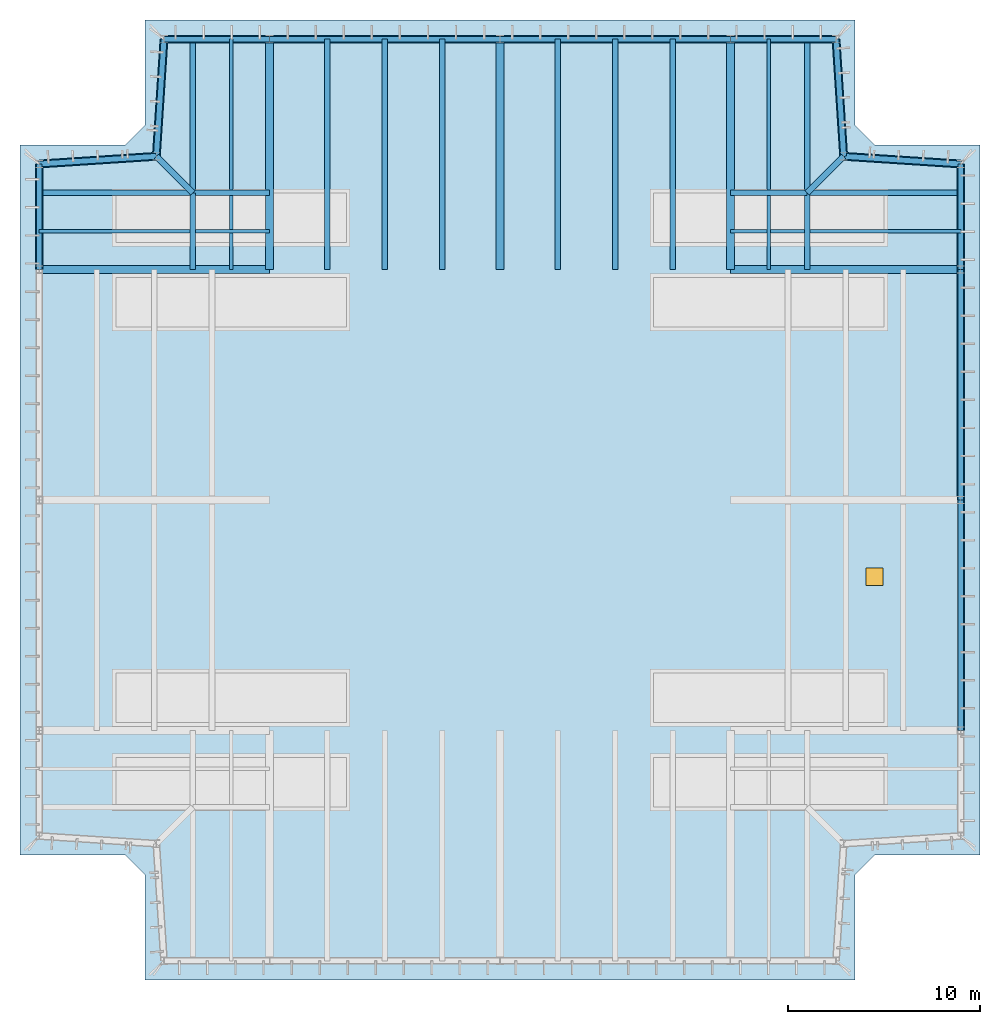
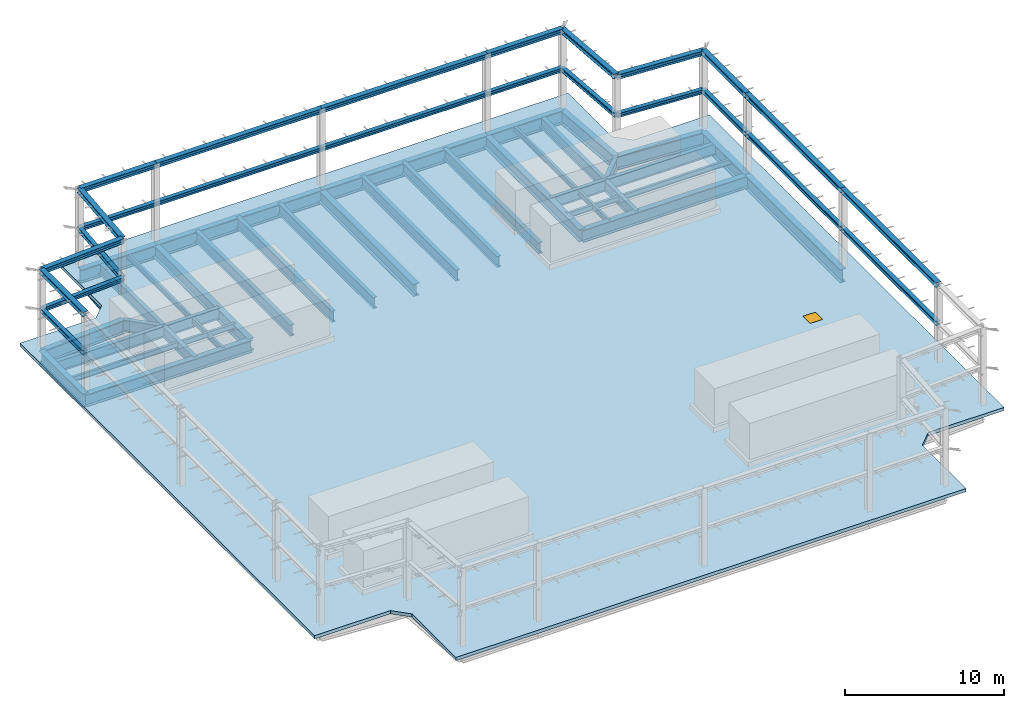
# One storey, part 2 of 8: 66 beams, 1 slab, 1 window, 1 opening.
"""IFC4 building model written with IfcOpenShell, lengths in metres."""

from ifc_helpers import new_model, si_unit, direction, frame, origin, origin_2d, place, context, subcontext, project, spatial, polyline, rectangle, i_section, outline, extrude, material, layer, layer_set, material_profile, profile_set, type_object, element, fill, save


model = new_model("IFC4")

# Units and contexts
model_context = context("Model", 3, precision=1e-05, world=origin(), true_north=direction((0.0, 1.0)))
body_context = subcontext(model_context, "Body", "Model", "MODEL_VIEW")
ifc_project = project(units=[si_unit("LENGTHUNIT", "METRE"), si_unit("AREAUNIT", "SQUARE_METRE"), si_unit("VOLUMEUNIT", "CUBIC_METRE"), si_unit("PLANEANGLEUNIT", "RADIAN"), si_unit("MASSUNIT", "GRAM", prefix="KILO")], contexts=[model_context])

# Site, building, storey
site_placement = place(None, origin())
site = spatial("IfcSite", under=ifc_project, at=site_placement, CompositionType="ELEMENT")
building_placement = place(site_placement, origin())
building = spatial("IfcBuilding", under=site, at=building_placement, Name="Fenwick Lantern Interchange", CompositionType="ELEMENT")
storey_placement = place(building_placement, frame((0.0, 0.0, 313.800048828125)))
storey = spatial("IfcBuildingStorey", under=building, at=storey_placement, Name="RF-A", CompositionType="ELEMENT", Elevation=313.800048828125)

# Beams
ifc_material_1 = material(Name="Steel ASTM A992 Grade 50", Category="steel")
ifc_material_profile_1 = material_profile(ifc_material_1, i_section(OverallWidth=0.3046875, OverallDepth=0.307373046875, WebThickness=0.010009765625, FlangeThickness=0.015380859375, at=origin_2d()), Name="W12X65")
ifc_profile_set_1 = profile_set([ifc_material_profile_1], Name="Steel ASTM A992 Grade 50")
beam_type_1 = type_object("IfcBeamType", Name="CROWN GIRT W12X65", PredefinedType="BEAM", material=ifc_profile_set_1)
for number, where, z_axis, x_axis, name in (
    (1, (49.0, 13.0, 2.84619140625), (0.0, 1.0, 0.0), (-1.0, 0.0, 0.0), "RF/CF/SG/08"),
    (2, (49.0, 25.0, 2.84619140625), (0.0, 1.0, 0.0), (-1.0, 0.0, 0.0), "RF/CF/SG/09"),
):
    element("IfcBeam", number, at=place(storey_placement, frame(where, z_axis=z_axis, x_axis=x_axis)), inside=storey, type_object=beam_type_1, Name=name, PredefinedType="BEAM", context=body_context, shape_type="SweptSolid", body=[
        extrude(i_section(OverallWidth=0.3046875, OverallDepth=0.307373046875, WebThickness=0.010009765625, FlangeThickness=0.015380859375, at=origin_2d()), origin(), (0.0, 0.0, 1.0), 12.0),
    ])
beam_1_placement = place(storey_placement, frame((49.0, 37.0, 2.84619140625), z_axis=(0.0, 1.0, 0.0), x_axis=(-1.0, 0.0, 0.0)))
element("IfcBeam", 3, at=beam_1_placement, inside=storey, type_object=beam_type_1, Name="RF/CF/SG/10", PredefinedType="BEAM", context=body_context, shape_type="SweptSolid", body=[
    extrude(i_section(OverallWidth=0.3046875, OverallDepth=0.307373046875, WebThickness=0.010009765625, FlangeThickness=0.015380859375, at=origin_2d()), origin(), (0.0, 0.0, 1.0), 5.5),
])
for number, where, z_axis, x_axis, name in (
    (4, (49.0, 42.5, 2.84619140625), (-0.997858060337, 0.065416293237, 0.0), (-0.065416293237, -0.997858060337, 0.0), "RF/CF/SG/11"),
    (5, (42.89990234375, 42.89990234375, 2.84619140625), (-0.065416293237, 0.997858060337, 0.0), (-0.997858060337, -0.065416293237, 0.0), "RF/CF/SG/12"),
):
    element("IfcBeam", number, at=place(storey_placement, frame(where, z_axis=z_axis, x_axis=x_axis)), inside=storey, type_object=beam_type_1, Name=name, PredefinedType="BEAM", context=body_context, shape_type="SweptSolid", body=[
        extrude(i_section(OverallWidth=0.3046875, OverallDepth=0.307373046875, WebThickness=0.010009765625, FlangeThickness=0.015380859375, at=origin_2d()), origin(), (0.0, 0.0, 1.0), 6.11328125),
    ])
beam_2_placement = place(storey_placement, frame((42.5, 49.0, 2.84619140625), z_axis=(-1.0, 0.0, 0.0), x_axis=(0.0, -1.0, 0.0)))
element("IfcBeam", 6, at=beam_2_placement, inside=storey, type_object=beam_type_1, Name="RF/CF/SG/13", PredefinedType="BEAM", context=body_context, shape_type="SweptSolid", body=[
    extrude(i_section(OverallWidth=0.3046875, OverallDepth=0.307373046875, WebThickness=0.010009765625, FlangeThickness=0.015380859375, at=origin_2d()), origin(), (0.0, 0.0, 1.0), 5.5),
])
for number, where, z_axis, x_axis, name in (
    (7, (37.0, 49.0, 2.84619140625), (-1.0, 0.0, 0.0), (0.0, -1.0, 0.0), "RF/CF/SG/14"),
    (8, (25.0, 49.0, 2.84619140625), (-1.0, 0.0, 0.0), (0.0, -1.0, 0.0), "RF/CF/SG/15"),
):
    element("IfcBeam", number, at=place(storey_placement, frame(where, z_axis=z_axis, x_axis=x_axis)), inside=storey, type_object=beam_type_1, Name=name, PredefinedType="BEAM", context=body_context, shape_type="SweptSolid", body=[
        extrude(i_section(OverallWidth=0.3046875, OverallDepth=0.307373046875, WebThickness=0.010009765625, FlangeThickness=0.015380859375, at=origin_2d()), origin(), (0.0, 0.0, 1.0), 12.0),
    ])
beam_3_placement = place(storey_placement, frame((13.0, 49.0, 2.84619140625), z_axis=(-1.0, 0.0, 0.0), x_axis=(0.0, -1.0, 0.0)))
element("IfcBeam", 9, at=beam_3_placement, inside=storey, type_object=beam_type_1, Name="RF/CF/SG/16", PredefinedType="BEAM", context=body_context, shape_type="SweptSolid", body=[
    extrude(i_section(OverallWidth=0.3046875, OverallDepth=0.307373046875, WebThickness=0.010009765625, FlangeThickness=0.015380859375, at=origin_2d()), origin(), (0.0, 0.0, 1.0), 5.5),
])
for number, where, z_axis, x_axis, name in (
    (10, (7.5, 49.0, 2.84619140625), (-0.065416293237, -0.997858060337, 0.0), (0.997858060337, -0.065416293237, 0.0), "RF/CF/SG/17"),
    (11, (7.10009765625, 42.89990234375, 2.84619140625), (-0.997858060337, -0.065416293237, 0.0), (0.065416293237, -0.997858060337, 0.0), "RF/CF/SG/18"),
):
    element("IfcBeam", number, at=place(storey_placement, frame(where, z_axis=z_axis, x_axis=x_axis)), inside=storey, type_object=beam_type_1, Name=name, PredefinedType="BEAM", context=body_context, shape_type="SweptSolid", body=[
        extrude(i_section(OverallWidth=0.3046875, OverallDepth=0.307373046875, WebThickness=0.010009765625, FlangeThickness=0.015380859375, at=origin_2d()), origin(), (0.0, 0.0, 1.0), 6.11328125),
    ])
beam_4_placement = place(storey_placement, frame((1.0, 42.5, 2.84619140625), z_axis=(0.0, -1.0, 0.0), x_axis=(1.0, 0.0, 0.0)))
element("IfcBeam", 12, at=beam_4_placement, inside=storey, type_object=beam_type_1, Name="RF/CF/SG/19", PredefinedType="BEAM", context=body_context, shape_type="SweptSolid", body=[
    extrude(i_section(OverallWidth=0.3046875, OverallDepth=0.307373046875, WebThickness=0.010009765625, FlangeThickness=0.015380859375, at=origin_2d()), origin(), (0.0, 0.0, 1.0), 5.5),
])
ifc_material_profile_2 = material_profile(ifc_material_1, i_section(OverallWidth=0.368408203125, OverallDepth=0.355712890625, WebThickness=0.01123046875, FlangeThickness=0.01806640625, at=origin_2d()), Name="W14X90")
ifc_profile_set_2 = profile_set([ifc_material_profile_2], Name="Steel ASTM A992 Grade 50")
beam_type_2 = type_object("IfcBeamType", Name="CROWN HEAD RING W14X90", PredefinedType="BEAM", material=ifc_profile_set_2)
for number, where, z_axis, x_axis, name in (
    (13, (49.0, 13.0, 5.822265625), (0.0, 1.0, 0.0), (-1.0, 0.0, 0.0), "RF/CF/HR/08"),
    (14, (49.0, 25.0, 5.822265625), (0.0, 1.0, 0.0), (-1.0, 0.0, 0.0), "RF/CF/HR/09"),
):
    element("IfcBeam", number, at=place(storey_placement, frame(where, z_axis=z_axis, x_axis=x_axis)), inside=storey, type_object=beam_type_2, Name=name, PredefinedType="BEAM", context=body_context, shape_type="SweptSolid", body=[
        extrude(i_section(OverallWidth=0.368408203125, OverallDepth=0.355712890625, WebThickness=0.01123046875, FlangeThickness=0.01806640625, at=origin_2d()), origin(), (0.0, 0.0, 1.0), 12.0),
    ])
beam_5_placement = place(storey_placement, frame((49.0, 37.0, 5.822265625), z_axis=(0.0, 1.0, 0.0), x_axis=(-1.0, 0.0, 0.0)))
element("IfcBeam", 15, at=beam_5_placement, inside=storey, type_object=beam_type_2, Name="RF/CF/HR/10", PredefinedType="BEAM", context=body_context, shape_type="SweptSolid", body=[
    extrude(i_section(OverallWidth=0.368408203125, OverallDepth=0.355712890625, WebThickness=0.01123046875, FlangeThickness=0.01806640625, at=origin_2d()), origin(), (0.0, 0.0, 1.0), 5.5),
])
for number, where, z_axis, x_axis, name in (
    (16, (49.0, 42.5, 5.822265625), (-0.997858060337, 0.065416293237, 0.0), (-0.065416293237, -0.997858060337, 0.0), "RF/CF/HR/11"),
    (17, (42.89990234375, 42.89990234375, 5.822265625), (-0.065416293237, 0.997858060337, 0.0), (-0.997858060337, -0.065416293237, 0.0), "RF/CF/HR/12"),
):
    element("IfcBeam", number, at=place(storey_placement, frame(where, z_axis=z_axis, x_axis=x_axis)), inside=storey, type_object=beam_type_2, Name=name, PredefinedType="BEAM", context=body_context, shape_type="SweptSolid", body=[
        extrude(i_section(OverallWidth=0.368408203125, OverallDepth=0.355712890625, WebThickness=0.01123046875, FlangeThickness=0.01806640625, at=origin_2d()), origin(), (0.0, 0.0, 1.0), 6.11328125),
    ])
beam_6_placement = place(storey_placement, frame((42.5, 49.0, 5.822265625), z_axis=(-1.0, 0.0, 0.0), x_axis=(0.0, -1.0, 0.0)))
element("IfcBeam", 18, at=beam_6_placement, inside=storey, type_object=beam_type_2, Name="RF/CF/HR/13", PredefinedType="BEAM", context=body_context, shape_type="SweptSolid", body=[
    extrude(i_section(OverallWidth=0.368408203125, OverallDepth=0.355712890625, WebThickness=0.01123046875, FlangeThickness=0.01806640625, at=origin_2d()), origin(), (0.0, 0.0, 1.0), 5.5),
])
for number, where, z_axis, x_axis, name in (
    (19, (37.0, 49.0, 5.822265625), (-1.0, 0.0, 0.0), (0.0, -1.0, 0.0), "RF/CF/HR/14"),
    (20, (25.0, 49.0, 5.822265625), (-1.0, 0.0, 0.0), (0.0, -1.0, 0.0), "RF/CF/HR/15"),
):
    element("IfcBeam", number, at=place(storey_placement, frame(where, z_axis=z_axis, x_axis=x_axis)), inside=storey, type_object=beam_type_2, Name=name, PredefinedType="BEAM", context=body_context, shape_type="SweptSolid", body=[
        extrude(i_section(OverallWidth=0.368408203125, OverallDepth=0.355712890625, WebThickness=0.01123046875, FlangeThickness=0.01806640625, at=origin_2d()), origin(), (0.0, 0.0, 1.0), 12.0),
    ])
beam_7_placement = place(storey_placement, frame((13.0, 49.0, 5.822265625), z_axis=(-1.0, 0.0, 0.0), x_axis=(0.0, -1.0, 0.0)))
element("IfcBeam", 21, at=beam_7_placement, inside=storey, type_object=beam_type_2, Name="RF/CF/HR/16", PredefinedType="BEAM", context=body_context, shape_type="SweptSolid", body=[
    extrude(i_section(OverallWidth=0.368408203125, OverallDepth=0.355712890625, WebThickness=0.01123046875, FlangeThickness=0.01806640625, at=origin_2d()), origin(), (0.0, 0.0, 1.0), 5.5),
])
for number, where, z_axis, x_axis, name in (
    (22, (7.5, 49.0, 5.822265625), (-0.065416293237, -0.997858060337, 0.0), (0.997858060337, -0.065416293237, 0.0), "RF/CF/HR/17"),
    (23, (7.10009765625, 42.89990234375, 5.822265625), (-0.997858060337, -0.065416293237, 0.0), (0.065416293237, -0.997858060337, 0.0), "RF/CF/HR/18"),
):
    element("IfcBeam", number, at=place(storey_placement, frame(where, z_axis=z_axis, x_axis=x_axis)), inside=storey, type_object=beam_type_2, Name=name, PredefinedType="BEAM", context=body_context, shape_type="SweptSolid", body=[
        extrude(i_section(OverallWidth=0.368408203125, OverallDepth=0.355712890625, WebThickness=0.01123046875, FlangeThickness=0.01806640625, at=origin_2d()), origin(), (0.0, 0.0, 1.0), 6.11328125),
    ])
beam_8_placement = place(storey_placement, frame((1.0, 42.5, 5.822265625), z_axis=(0.0, -1.0, 0.0), x_axis=(1.0, 0.0, 0.0)))
element("IfcBeam", 24, at=beam_8_placement, inside=storey, type_object=beam_type_2, Name="RF/CF/HR/19", PredefinedType="BEAM", context=body_context, shape_type="SweptSolid", body=[
    extrude(i_section(OverallWidth=0.368408203125, OverallDepth=0.355712890625, WebThickness=0.01123046875, FlangeThickness=0.01806640625, at=origin_2d()), origin(), (0.0, 0.0, 1.0), 5.5),
])
ifc_material_profile_3 = material_profile(ifc_material_1, i_section(OverallWidth=0.408935546875, OverallDepth=1.04150390625, WebThickness=0.031005859375, FlangeThickness=0.055908203125, at=origin_2d()), Name="W40X397")
ifc_profile_set_3 = profile_set([ifc_material_profile_3], Name="Steel ASTM A992 Grade 50")
beam_type_3 = type_object("IfcBeamType", Name="EDGE BEAM W40X397", PredefinedType="SPANDREL", material=ifc_profile_set_3)
beam_9_placement = place(storey_placement, frame((49.0, 25.0, -0.770751953125), z_axis=(0.0, 1.0, 0.0), x_axis=(-1.0, 0.0, 0.0)))
element("IfcBeam", 25, at=beam_9_placement, inside=storey, type_object=beam_type_3, Name="RF/FR/E/EB3", PredefinedType="SPANDREL", context=body_context, shape_type="SweptSolid", body=[
    extrude(i_section(OverallWidth=0.408935546875, OverallDepth=1.04150390625, WebThickness=0.031005859375, FlangeThickness=0.055908203125, at=origin_2d()), origin(), (0.0, 0.0, 1.0), 12.0),
])
beam_10_placement = place(storey_placement, frame((49.0, 37.0, -0.770751953125), z_axis=(0.0, 1.0, 0.0), x_axis=(-1.0, 0.0, 0.0)))
element("IfcBeam", 26, at=beam_10_placement, inside=storey, type_object=beam_type_3, Name="RF/FR/E/EB4", PredefinedType="SPANDREL", context=body_context, shape_type="SweptSolid", body=[
    extrude(i_section(OverallWidth=0.408935546875, OverallDepth=1.04150390625, WebThickness=0.031005859375, FlangeThickness=0.055908203125, at=origin_2d()), origin(), (0.0, 0.0, 1.0), 5.5),
])
for number, where, z_axis, x_axis, name in (
    (27, (49.0, 42.5, -0.770751953125), (-0.997858060337, 0.065416293237, 0.0), (-0.065416293237, -0.997858060337, 0.0), "RF/FR/E/EBR1"),
    (28, (42.89990234375, 42.89990234375, -0.770751953125), (-0.065416293237, 0.997858060337, 0.0), (-0.997858060337, -0.065416293237, 0.0), "RF/FR/E/EBR2"),
):
    element("IfcBeam", number, at=place(storey_placement, frame(where, z_axis=z_axis, x_axis=x_axis)), inside=storey, type_object=beam_type_3, Name=name, PredefinedType="SPANDREL", context=body_context, shape_type="SweptSolid", body=[
        extrude(i_section(OverallWidth=0.408935546875, OverallDepth=1.04150390625, WebThickness=0.031005859375, FlangeThickness=0.055908203125, at=origin_2d()), origin(), (0.0, 0.0, 1.0), 6.11328125),
    ])
beam_11_placement = place(storey_placement, frame((42.5, 49.0, -0.770751953125), z_axis=(-1.0, 0.0, 0.0), x_axis=(0.0, -1.0, 0.0)))
element("IfcBeam", 29, at=beam_11_placement, inside=storey, type_object=beam_type_3, Name="RF/FR/N/EB1", PredefinedType="SPANDREL", context=body_context, shape_type="SweptSolid", body=[
    extrude(i_section(OverallWidth=0.408935546875, OverallDepth=1.04150390625, WebThickness=0.031005859375, FlangeThickness=0.055908203125, at=origin_2d()), origin(), (0.0, 0.0, 1.0), 5.5),
])
for number, where, z_axis, x_axis, name in (
    (30, (37.0, 49.0, -0.770751953125), (-1.0, 0.0, 0.0), (0.0, -1.0, 0.0), "RF/FR/N/EB2"),
    (31, (25.0, 49.0, -0.770751953125), (-1.0, 0.0, 0.0), (0.0, -1.0, 0.0), "RF/FR/N/EB3"),
):
    element("IfcBeam", number, at=place(storey_placement, frame(where, z_axis=z_axis, x_axis=x_axis)), inside=storey, type_object=beam_type_3, Name=name, PredefinedType="SPANDREL", context=body_context, shape_type="SweptSolid", body=[
        extrude(i_section(OverallWidth=0.408935546875, OverallDepth=1.04150390625, WebThickness=0.031005859375, FlangeThickness=0.055908203125, at=origin_2d()), origin(), (0.0, 0.0, 1.0), 12.0),
    ])
beam_12_placement = place(storey_placement, frame((13.0, 49.0, -0.770751953125), z_axis=(-1.0, 0.0, 0.0), x_axis=(0.0, -1.0, 0.0)))
element("IfcBeam", 32, at=beam_12_placement, inside=storey, type_object=beam_type_3, Name="RF/FR/N/EB4", PredefinedType="SPANDREL", context=body_context, shape_type="SweptSolid", body=[
    extrude(i_section(OverallWidth=0.408935546875, OverallDepth=1.04150390625, WebThickness=0.031005859375, FlangeThickness=0.055908203125, at=origin_2d()), origin(), (0.0, 0.0, 1.0), 5.5),
])
for number, where, z_axis, x_axis, name in (
    (33, (7.5, 49.0, -0.770751953125), (-0.065416293237, -0.997858060337, 0.0), (0.997858060337, -0.065416293237, 0.0), "RF/FR/N/EBR1"),
    (34, (7.10009765625, 42.89990234375, -0.770751953125), (-0.997858060337, -0.065416293237, 0.0), (0.065416293237, -0.997858060337, 0.0), "RF/FR/N/EBR2"),
):
    element("IfcBeam", number, at=place(storey_placement, frame(where, z_axis=z_axis, x_axis=x_axis)), inside=storey, type_object=beam_type_3, Name=name, PredefinedType="SPANDREL", context=body_context, shape_type="SweptSolid", body=[
        extrude(i_section(OverallWidth=0.408935546875, OverallDepth=1.04150390625, WebThickness=0.031005859375, FlangeThickness=0.055908203125, at=origin_2d()), origin(), (0.0, 0.0, 1.0), 6.11328125),
    ])
beam_13_placement = place(storey_placement, frame((1.0, 42.5, -0.770751953125), z_axis=(0.0, -1.0, 0.0), x_axis=(1.0, 0.0, 0.0)))
element("IfcBeam", 35, at=beam_13_placement, inside=storey, type_object=beam_type_3, Name="RF/FR/W/EB1", PredefinedType="SPANDREL", context=body_context, shape_type="SweptSolid", body=[
    extrude(i_section(OverallWidth=0.408935546875, OverallDepth=1.04150390625, WebThickness=0.031005859375, FlangeThickness=0.055908203125, at=origin_2d()), origin(), (0.0, 0.0, 1.0), 5.5),
])
ifc_material_profile_4 = material_profile(ifc_material_1, i_section(OverallWidth=0.2919921875, OverallDepth=0.845703125, WebThickness=0.015380859375, FlangeThickness=0.0244140625, at=origin_2d()), Name="W33X141")
ifc_profile_set_4 = profile_set([ifc_material_profile_4], Name="Steel ASTM A992 Grade 50")
beam_type_4 = type_object("IfcBeamType", Name="FLOOR BEAM W33X141", PredefinedType="BEAM", material=ifc_profile_set_4)
for number, where, z_axis, x_axis, name in (
    (36, (34.0, 49.0, -0.6728515625), (0.0, -1.0, 0.0), (1.0, 0.0, 0.0), "RF/FR/N/R02"),
    (37, (31.0, 49.0, -0.6728515625), (0.0, -1.0, 0.0), (1.0, 0.0, 0.0), "RF/FR/N/R03"),
    (38, (28.0, 49.0, -0.6728515625), (0.0, -1.0, 0.0), (1.0, 0.0, 0.0), "RF/FR/N/R04"),
    (39, (22.0, 49.0, -0.6728515625), (0.0, -1.0, 0.0), (1.0, 0.0, 0.0), "RF/FR/N/R06"),
    (40, (19.0, 49.0, -0.6728515625), (0.0, -1.0, 0.0), (1.0, 0.0, 0.0), "RF/FR/N/R07"),
    (41, (16.0, 49.0, -0.6728515625), (0.0, -1.0, 0.0), (1.0, 0.0, 0.0), "RF/FR/N/R08"),
):
    element("IfcBeam", number, at=place(storey_placement, frame(where, z_axis=z_axis, x_axis=x_axis)), inside=storey, type_object=beam_type_4, Name=name, PredefinedType="BEAM", context=body_context, shape_type="SweptSolid", body=[
        extrude(i_section(OverallWidth=0.2919921875, OverallDepth=0.845703125, WebThickness=0.015380859375, FlangeThickness=0.0244140625, at=origin_2d()), origin(), (0.0, 0.0, 1.0), 12.0),
    ])
ifc_material_profile_5 = material_profile(ifc_material_1, i_section(OverallWidth=0.177734375, OverallDepth=0.406494140625, WebThickness=0.0078125, FlangeThickness=0.012939453125, at=origin_2d()), Name="W16X40")
ifc_profile_set_5 = profile_set([ifc_material_profile_5], Name="Steel ASTM A992 Grade 50")
beam_type_5 = type_object("IfcBeamType", Name="INFILL BEAM W16X40", PredefinedType="JOIST", material=ifc_profile_set_5)
beam_14_placement = place(storey_placement, frame((39.0, 49.0, -0.453369140625), z_axis=(0.0, -1.0, 0.0), x_axis=(1.0, 0.0, 0.0)))
element("IfcBeam", 42, at=beam_14_placement, inside=storey, type_object=beam_type_5, Name="RF/FR/N/J1", PredefinedType="JOIST", context=body_context, shape_type="SweptSolid", body=[
    extrude(i_section(OverallWidth=0.177734375, OverallDepth=0.406494140625, WebThickness=0.0078125, FlangeThickness=0.012939453125, at=origin_2d()), origin(), (0.0, 0.0, 1.0), 7.85400390625),
])
beam_15_placement = place(storey_placement, frame((39.0, 40.85400390625, -0.453369140625), z_axis=(0.0, -1.0, 0.0), x_axis=(1.0, 0.0, 0.0)))
element("IfcBeam", 43, at=beam_15_placement, inside=storey, type_object=beam_type_5, Name="RF/FR/N/J2", PredefinedType="JOIST", context=body_context, shape_type="SweptSolid", body=[
    extrude(i_section(OverallWidth=0.177734375, OverallDepth=0.406494140625, WebThickness=0.0078125, FlangeThickness=0.012939453125, at=origin_2d()), origin(), (0.0, 0.0, 1.0), 3.85400390625),
])
beam_16_placement = place(storey_placement, frame((49.0, 39.0, -0.453369140625), z_axis=(-1.0, 0.0, 0.0), x_axis=(0.0, -1.0, 0.0)))
element("IfcBeam", 44, at=beam_16_placement, inside=storey, type_object=beam_type_5, Name="RF/FR/N/J3", PredefinedType="JOIST", context=body_context, shape_type="SweptSolid", body=[
    extrude(i_section(OverallWidth=0.177734375, OverallDepth=0.406494140625, WebThickness=0.0078125, FlangeThickness=0.012939453125, at=origin_2d()), origin(), (0.0, 0.0, 1.0), 7.85400390625),
])
beam_17_placement = place(storey_placement, frame((40.85400390625, 39.0, -0.453369140625), z_axis=(-1.0, 0.0, 0.0), x_axis=(0.0, -1.0, 0.0)))
element("IfcBeam", 45, at=beam_17_placement, inside=storey, type_object=beam_type_5, Name="RF/FR/N/J4", PredefinedType="JOIST", context=body_context, shape_type="SweptSolid", body=[
    extrude(i_section(OverallWidth=0.177734375, OverallDepth=0.406494140625, WebThickness=0.0078125, FlangeThickness=0.012939453125, at=origin_2d()), origin(), (0.0, 0.0, 1.0), 1.76513671875),
])
beam_18_placement = place(storey_placement, frame((38.9111328125, 39.0, -0.453369140625), z_axis=(-1.0, 0.0, 0.0), x_axis=(0.0, -1.0, 0.0)))
element("IfcBeam", 46, at=beam_18_placement, inside=storey, type_object=beam_type_5, Name="RF/FR/N/J5", PredefinedType="JOIST", context=body_context, shape_type="SweptSolid", body=[
    extrude(i_section(OverallWidth=0.177734375, OverallDepth=0.406494140625, WebThickness=0.0078125, FlangeThickness=0.012939453125, at=origin_2d()), origin(), (0.0, 0.0, 1.0), 1.9111328125),
])
beam_19_placement = place(storey_placement, frame((1.0, 39.0, -0.453369140625), z_axis=(1.0, 0.0, 0.0), x_axis=(0.0, 1.0, 0.0)))
element("IfcBeam", 47, at=beam_19_placement, inside=storey, type_object=beam_type_5, Name="RF/FR/W/J1", PredefinedType="JOIST", context=body_context, shape_type="SweptSolid", body=[
    extrude(i_section(OverallWidth=0.177734375, OverallDepth=0.406494140625, WebThickness=0.0078125, FlangeThickness=0.012939453125, at=origin_2d()), origin(), (0.0, 0.0, 1.0), 7.85400390625),
])
beam_20_placement = place(storey_placement, frame((9.14599609375, 39.0, -0.453369140625), z_axis=(1.0, 0.0, 0.0), x_axis=(0.0, 1.0, 0.0)))
element("IfcBeam", 48, at=beam_20_placement, inside=storey, type_object=beam_type_5, Name="RF/FR/W/J2", PredefinedType="JOIST", context=body_context, shape_type="SweptSolid", body=[
    extrude(i_section(OverallWidth=0.177734375, OverallDepth=0.406494140625, WebThickness=0.0078125, FlangeThickness=0.012939453125, at=origin_2d()), origin(), (0.0, 0.0, 1.0), 3.85400390625),
])
beam_21_placement = place(storey_placement, frame((11.0, 49.0, -0.453369140625), z_axis=(0.0, -1.0, 0.0), x_axis=(1.0, 0.0, 0.0)))
element("IfcBeam", 49, at=beam_21_placement, inside=storey, type_object=beam_type_5, Name="RF/FR/W/J3", PredefinedType="JOIST", context=body_context, shape_type="SweptSolid", body=[
    extrude(i_section(OverallWidth=0.177734375, OverallDepth=0.406494140625, WebThickness=0.0078125, FlangeThickness=0.012939453125, at=origin_2d()), origin(), (0.0, 0.0, 1.0), 7.85400390625),
])
beam_22_placement = place(storey_placement, frame((11.0, 40.85400390625, -0.453369140625), z_axis=(0.0, -1.0, 0.0), x_axis=(1.0, 0.0, 0.0)))
element("IfcBeam", 50, at=beam_22_placement, inside=storey, type_object=beam_type_5, Name="RF/FR/W/J4", PredefinedType="JOIST", context=body_context, shape_type="SweptSolid", body=[
    extrude(i_section(OverallWidth=0.177734375, OverallDepth=0.406494140625, WebThickness=0.0078125, FlangeThickness=0.012939453125, at=origin_2d()), origin(), (0.0, 0.0, 1.0), 1.76513671875),
])
beam_23_placement = place(storey_placement, frame((11.0, 38.9111328125, -0.453369140625), z_axis=(0.0, -1.0, 0.0), x_axis=(1.0, 0.0, 0.0)))
element("IfcBeam", 51, at=beam_23_placement, inside=storey, type_object=beam_type_5, Name="RF/FR/W/J5", PredefinedType="JOIST", context=body_context, shape_type="SweptSolid", body=[
    extrude(i_section(OverallWidth=0.177734375, OverallDepth=0.406494140625, WebThickness=0.0078125, FlangeThickness=0.012939453125, at=origin_2d()), origin(), (0.0, 0.0, 1.0), 1.9111328125),
])
ifc_material_profile_6 = material_profile(ifc_material_1, i_section(OverallWidth=0.2919921875, OverallDepth=0.845703125, WebThickness=0.015380859375, FlangeThickness=0.0244140625, at=origin_2d()), Name="W33X141")
ifc_profile_set_6 = profile_set([ifc_material_profile_6], Name="Steel ASTM A992 Grade 50")
beam_type_6 = type_object("IfcBeamType", Name="MEGA COLUMN BEAM W33X141", PredefinedType="BEAM", material=ifc_profile_set_6)
for number, where, z_axis, x_axis, name in (
    (52, (41.0, 41.0, -0.6728515625), (0.0, 1.0, 0.0), (-1.0, 0.0, 0.0), "RF/FR/N/MB1"),
    (53, (41.0, 41.0, -0.6728515625), (1.0, 0.0, 0.0), (0.0, 1.0, 0.0), "RF/FR/N/MB2"),
):
    element("IfcBeam", number, at=place(storey_placement, frame(where, z_axis=z_axis, x_axis=x_axis)), inside=storey, type_object=beam_type_6, Name=name, PredefinedType="BEAM", context=body_context, shape_type="SweptSolid", body=[
        extrude(i_section(OverallWidth=0.2919921875, OverallDepth=0.845703125, WebThickness=0.015380859375, FlangeThickness=0.0244140625, at=origin_2d()), origin(), (0.0, 0.0, 1.0), 8.0),
    ])
for number, where, z_axis, x_axis, name in (
    (54, (41.0, 41.0, -0.6728515625), (-1.0, 0.0, 0.0), (0.0, -1.0, 0.0), "RF/FR/N/MB3"),
    (55, (41.0, 41.0, -0.6728515625), (0.0, -1.0, 0.0), (1.0, 0.0, 0.0), "RF/FR/N/MB4"),
):
    element("IfcBeam", number, at=place(storey_placement, frame(where, z_axis=z_axis, x_axis=x_axis)), inside=storey, type_object=beam_type_6, Name=name, PredefinedType="BEAM", context=body_context, shape_type="SweptSolid", body=[
        extrude(i_section(OverallWidth=0.2919921875, OverallDepth=0.845703125, WebThickness=0.015380859375, FlangeThickness=0.0244140625, at=origin_2d()), origin(), (0.0, 0.0, 1.0), 4.0),
    ])
for number, where, z_axis, x_axis, name in (
    (56, (9.0, 41.0, -0.6728515625), (-1.0, 0.0, 0.0), (0.0, -1.0, 0.0), "RF/FR/W/MB1"),
    (57, (9.0, 41.0, -0.6728515625), (0.0, 1.0, 0.0), (-1.0, 0.0, 0.0), "RF/FR/W/MB2"),
):
    element("IfcBeam", number, at=place(storey_placement, frame(where, z_axis=z_axis, x_axis=x_axis)), inside=storey, type_object=beam_type_6, Name=name, PredefinedType="BEAM", context=body_context, shape_type="SweptSolid", body=[
        extrude(i_section(OverallWidth=0.2919921875, OverallDepth=0.845703125, WebThickness=0.015380859375, FlangeThickness=0.0244140625, at=origin_2d()), origin(), (0.0, 0.0, 1.0), 8.0),
    ])
for number, where, z_axis, x_axis, name in (
    (58, (9.0, 41.0, -0.6728515625), (0.0, -1.0, 0.0), (1.0, 0.0, 0.0), "RF/FR/W/MB3"),
    (59, (9.0, 41.0, -0.6728515625), (1.0, 0.0, 0.0), (0.0, 1.0, 0.0), "RF/FR/W/MB4"),
):
    element("IfcBeam", number, at=place(storey_placement, frame(where, z_axis=z_axis, x_axis=x_axis)), inside=storey, type_object=beam_type_6, Name=name, PredefinedType="BEAM", context=body_context, shape_type="SweptSolid", body=[
        extrude(i_section(OverallWidth=0.2919921875, OverallDepth=0.845703125, WebThickness=0.015380859375, FlangeThickness=0.0244140625, at=origin_2d()), origin(), (0.0, 0.0, 1.0), 4.0),
    ])
ifc_material_profile_7 = material_profile(ifc_material_1, i_section(OverallWidth=0.424072265625, OverallDepth=0.947509765625, WebThickness=0.02392578125, FlangeThickness=0.042724609375, at=origin_2d()), Name="W36X302")
ifc_profile_set_7 = profile_set([ifc_material_profile_7], Name="Steel ASTM A992 Grade 50")
beam_type_7 = type_object("IfcBeamType", Name="MOMENT-CONNECTED GIRDER W36X302", PredefinedType="BEAM", material=ifc_profile_set_7)
for number, where, z_axis, x_axis, name in (
    (60, (49.0, 37.0, -0.723876953125), (-1.0, 0.0, 0.0), (0.0, -1.0, 0.0), "RF/FR/E/R03"),
    (61, (37.0, 49.0, -0.723876953125), (0.0, -1.0, 0.0), (1.0, 0.0, 0.0), "RF/FR/N/R01"),
    (62, (25.0, 49.0, -0.723876953125), (0.0, -1.0, 0.0), (1.0, 0.0, 0.0), "RF/FR/N/R05"),
    (63, (13.0, 49.0, -0.723876953125), (0.0, -1.0, 0.0), (1.0, 0.0, 0.0), "RF/FR/N/R09"),
    (64, (1.0, 37.0, -0.723876953125), (1.0, 0.0, 0.0), (0.0, 1.0, 0.0), "RF/FR/W/R01"),
):
    element("IfcBeam", number, at=place(storey_placement, frame(where, z_axis=z_axis, x_axis=x_axis)), inside=storey, type_object=beam_type_7, Name=name, PredefinedType="BEAM", context=body_context, shape_type="SweptSolid", body=[
        extrude(i_section(OverallWidth=0.424072265625, OverallDepth=0.947509765625, WebThickness=0.02392578125, FlangeThickness=0.042724609375, at=origin_2d()), origin(), (0.0, 0.0, 1.0), 12.0),
    ])
ifc_material_profile_8 = material_profile(ifc_material_1, i_section(OverallWidth=0.3046875, OverallDepth=0.911865234375, WebThickness=0.015869140625, FlangeThickness=0.02392578125, at=origin_2d()), Name="W36X150")
ifc_profile_set_8 = profile_set([ifc_material_profile_8], Name="Steel ASTM A992 Grade 50")
beam_type_8 = type_object("IfcBeamType", Name="NOTCH BEAM W36X150", PredefinedType="BEAM", material=ifc_profile_set_8)
for number, where, z_axis, x_axis, name in (
    (65, (41.0, 41.0, -0.7060546875), (0.707106781187, 0.707106781187, 0.0), (-0.707106781187, 0.707106781187, 0.0), "RF/FR/N/TG"),
    (66, (9.0, 41.0, -0.7060546875), (-0.707106781187, 0.707106781187, 0.0), (-0.707106781187, -0.707106781187, 0.0), "RF/FR/W/TG"),
):
    element("IfcBeam", number, at=place(storey_placement, frame(where, z_axis=z_axis, x_axis=x_axis)), inside=storey, type_object=beam_type_8, Name=name, PredefinedType="BEAM", context=body_context, shape_type="SweptSolid", body=[
        extrude(i_section(OverallWidth=0.3046875, OverallDepth=0.911865234375, WebThickness=0.015869140625, FlangeThickness=0.02392578125, at=origin_2d()), origin(), (0.0, 0.0, 1.0), 2.686767578125),
    ])

# Slab, opening, window
ifc_material_2 = material(Name="Concrete f'c 35 MPa", Category="concrete")
ifc_layer = layer(ifc_material_2, 0.25)
ifc_layer_set = layer_set([ifc_layer], Name="Concrete f'c 35 MPa")
slab_type = type_object("IfcSlabType", Name="ROOF SLAB 250", PredefinedType="ROOF", material=ifc_layer_set)
slab_placement = place(storey_placement, frame((0.0, 0.0, -0.25)))
slab = element("IfcSlab", 67, at=slab_placement, inside=storey, type_object=slab_type, Name="RF/SLAB/ROOF", PredefinedType="ROOF", context=body_context, shape_type="SweptSolid", body=[
    extrude(outline(polyline([(6.5, 0.0), (43.5, 0.0), (43.5, 5.5), (44.5, 6.5), (50.0, 6.5), (50.0, 43.5), (44.5, 43.5), (43.5, 44.5), (43.5, 50.0), (6.5, 50.0), (6.5, 44.5), (5.5, 43.5), (0.0, 43.5), (0.0, 6.5), (5.5, 6.5), (6.5, 5.5), (6.5, 0.0)])), origin(), (0.0, 0.0, 1.0), 0.25),
])
opening_placement = place(slab_placement, frame((44.5, 21.0, 0.0)))
opening = element("IfcOpeningElement", 68, at=opening_placement, cuts=slab, Name="Opening RH1", PredefinedType="OPENING", context=body_context, shape_type="SweptSolid", body=[
    extrude(rectangle(XDim=0.89990234375, YDim=0.89990234375, at=origin_2d()), origin(), (0.0, 0.0, 1.0), 0.25),
])
ifc_material_3 = material(Name="Insulated aluminium roof hatch", Category="aluminium")
window_type = type_object("IfcWindowType", Name="ROOF ACCESS HATCH 900 X 900", PartitioningType="SINGLE_PANEL", PredefinedType="SKYLIGHT", material=ifc_material_3)
window_placement = place(opening_placement, frame((0.0, 0.0, 0.199951171875)))
window = element("IfcWindow", 69, at=window_placement, inside=storey, type_object=window_type, Name="Roof access hatch", OverallHeight=0.89990234375, OverallWidth=0.89990234375, PartitioningType="SINGLE_PANEL", PredefinedType="SKYLIGHT", context=body_context, shape_type="SweptSolid", body=[
    extrude(rectangle(XDim=0.89990234375, YDim=0.89990234375, at=origin_2d()), origin(), (0.0, 0.0, 1.0), 0.050048828125),
])
fill(opening, window)

save(model, "model.ifc")
